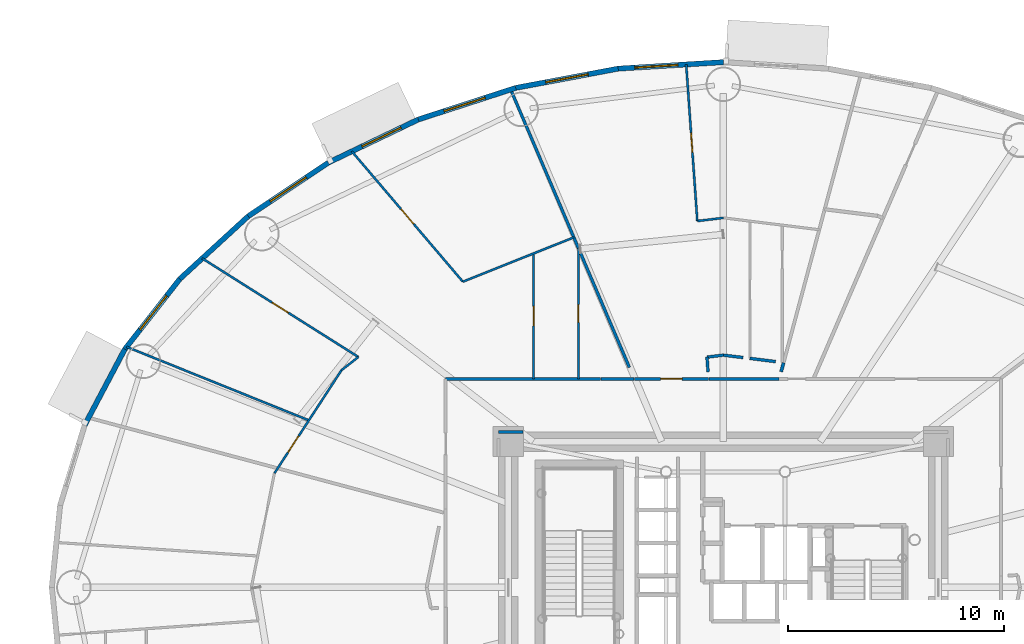
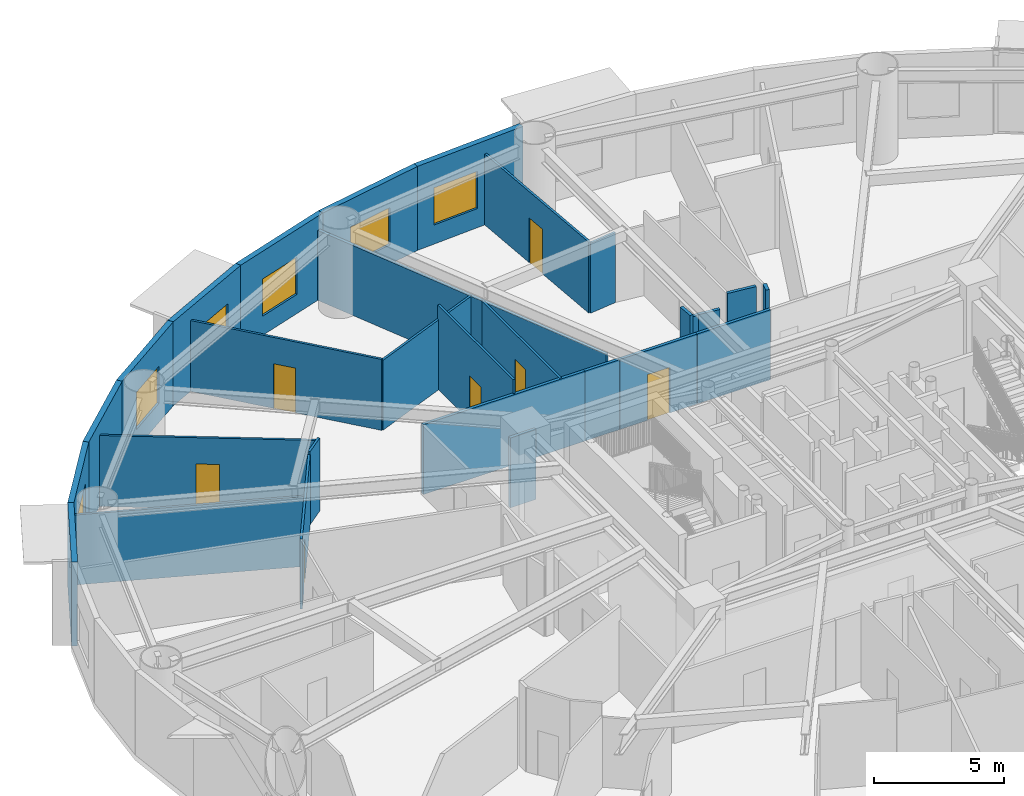
# One storey, part 15 of 24: 29 walls, 7 doors, 6 windows, 13 openings.
"""IFC4 building model written with IfcOpenShell, lengths in metres."""

import ifcopenshell
import ifcopenshell.guid

model = None  # the IFC model being written
_history = None  # IfcOwnerHistory: only IFC2X3 demands one
_inside = {}  # id of a spatial element -> (the spatial element, [elements in it])
_under = {}  # id of a project, library or spatial element -> (it, [spatial elements below it])
_declared = {}  # id of a project -> (the project, [libraries it declares])
_typed = {}  # id of a type object -> (the type object, [elements of that type])
_made_of = {}  # id of a material, layer set ... -> (it, [elements and type objects made of it])


def new_model(schema):
    """Start an empty IFC model of exactly this schema.

    Asked for "IFC4X3", IfcOpenShell would pick the latest addendum, in which some entities
    have other attributes; the version numbers below select the first issue.
    IFC2X3 requires an IfcOwnerHistory on every rooted entity: one is made here for all.
    """
    global model, _history
    if schema == "IFC4X3":
        model = ifcopenshell.file(schema_version=(4, 3, 0, 0))
    else:
        model = ifcopenshell.file(schema=schema)
    _inside.clear()
    _under.clear()
    _declared.clear()
    _typed.clear()
    _made_of.clear()
    _history = None
    if model.schema == "IFC2X3":
        org = make("IfcOrganization", Name="unknown")
        user = make(
            "IfcPersonAndOrganization",
            ThePerson=make("IfcPerson", FamilyName="unknown"),
            TheOrganization=org,
        )
        app = make(
            "IfcApplication",
            ApplicationDeveloper=org,
            Version="unknown",
            ApplicationFullName="unknown",
            ApplicationIdentifier="unknown",
        )
        _history = make(
            "IfcOwnerHistory",
            OwningUser=user,
            OwningApplication=app,
            ChangeAction="ADDED",
            CreationDate=0,
        )
    return model


def make(cls, **values):
    """One entity of the class cls with the attributes given. An attribute that is None is left unset."""
    return model.create_entity(
        cls, **{name: value for name, value in values.items() if value is not None}
    )


def rooted(cls, **values):
    """An entity with a GlobalId (a new one), such as an element, a storey or a relation."""
    return make(cls, GlobalId=ifcopenshell.guid.new(), OwnerHistory=_history, **values)


def si_unit(unit_type, name, prefix=None):
    """IfcSIUnit, for example si_unit("LENGTHUNIT", "METRE", prefix="MILLI")."""
    return make("IfcSIUnit", UnitType=unit_type, Prefix=prefix, Name=name)


def assignment(units):
    """IfcUnitAssignment: the units of a project."""
    return None if units is None else make("IfcUnitAssignment", Units=units)


def point(xyz):
    """IfcCartesianPoint."""
    return None if xyz is None else make("IfcCartesianPoint", Coordinates=xyz)


def direction(xyz):
    """IfcDirection."""
    return None if xyz is None else make("IfcDirection", DirectionRatios=xyz)


def frame(location, z_axis=None, x_axis=None):
    """IfcAxis2Placement3D, a coordinate frame: its origin and axes. An axis left out is left unset."""
    return make(
        "IfcAxis2Placement3D",
        Location=point(location),
        Axis=direction(z_axis),
        RefDirection=direction(x_axis),
    )


def frame_2d(location, x_axis=None):
    """IfcAxis2Placement2D, a coordinate frame in the plane: its origin and x axis."""
    return make(
        "IfcAxis2Placement2D", Location=point(location), RefDirection=direction(x_axis)
    )


def origin():
    """The frame at (0, 0, 0) with its axes left unset."""
    return frame((0.0, 0.0, 0.0))


def origin_2d():
    """The frame at (0, 0) in the plane with its x axis left unset."""
    return frame_2d((0.0, 0.0))


def place(relative_to, where):
    """IfcLocalPlacement: puts the frame where relative to a parent placement (None: the world)."""
    return make(
        "IfcLocalPlacement", PlacementRelTo=relative_to, RelativePlacement=where
    )


def context(
    kind, dimensions, precision=None, world=None, true_north=None, identifier=None
):
    """IfcGeometricRepresentationContext, for example the 3D "Model" context."""
    return make(
        "IfcGeometricRepresentationContext",
        ContextIdentifier=identifier,
        ContextType=kind,
        CoordinateSpaceDimension=dimensions,
        Precision=precision,
        WorldCoordinateSystem=world,
        TrueNorth=true_north,
    )


def subcontext(parent, identifier, kind, view, scale=None):
    """IfcGeometricRepresentationSubContext, for example "Body" below "Model"."""
    return make(
        "IfcGeometricRepresentationSubContext",
        ContextIdentifier=identifier,
        ContextType=kind,
        ParentContext=parent,
        TargetScale=scale,
        TargetView=view,
    )


def project(units=None, contexts=None):
    """IfcProject with its units and contexts."""
    return rooted(
        "IfcProject",
        Name="project",
        RepresentationContexts=contexts,
        UnitsInContext=assignment(units),
    )


def spatial(cls, under=None, at=None, **own):
    """A site, building, storey or space (cls), placed at a placement, below another one or the project."""
    s = rooted(cls, ObjectPlacement=at, **own)
    if under is not None:
        _under.setdefault(under.id(), (under, []))[1].append(s)
    return s


def profile(cls, at=None, kind="AREA", **sizes):
    """A parametric profile (cls). Its sizes go by their IFC names, for example OverallWidth=200.0."""
    return make(cls, ProfileType=kind, Position=at, **sizes)


def rectangle(**sizes):
    """IfcRectangleProfileDef."""
    return profile("IfcRectangleProfileDef", **sizes)


def extrude(swept, where, along, depth):
    """IfcExtrudedAreaSolid: the profile swept, set in the frame where, extruded along a direction by depth."""
    return make(
        "IfcExtrudedAreaSolid",
        SweptArea=swept,
        Position=where,
        ExtrudedDirection=direction(along),
        Depth=depth,
    )


def shape(context_of_items, identifier, shape_type, items):
    """IfcShapeRepresentation: the items that make up one representation, for example the "Body"."""
    return make(
        "IfcShapeRepresentation",
        ContextOfItems=context_of_items,
        RepresentationIdentifier=identifier,
        RepresentationType=shape_type,
        Items=items,
    )


def source(mapping_origin, context_of_items, identifier, shape_type, items):
    """IfcRepresentationMap: a shape defined once, which mapped items show again and again."""
    return make(
        "IfcRepresentationMap",
        MappingOrigin=mapping_origin,
        MappedRepresentation=shape(context_of_items, identifier, shape_type, items),
    )


def transform(
    local_origin,
    x_axis=None,
    y_axis=None,
    z_axis=None,
    scale=None,
    scale2=None,
    scale3=None,
    uniform=True,
):
    """IfcCartesianTransformationOperator3D, or its non-uniform kind. x_axis, y_axis, z_axis: its Axis1, 2, 3."""
    if uniform:
        return make(
            "IfcCartesianTransformationOperator3D",
            Axis1=direction(x_axis),
            Axis2=direction(y_axis),
            LocalOrigin=point(local_origin),
            Scale=scale,
            Axis3=direction(z_axis),
        )
    return make(
        "IfcCartesianTransformationOperator3DnonUniform",
        Axis1=direction(x_axis),
        Axis2=direction(y_axis),
        LocalOrigin=point(local_origin),
        Scale=scale,
        Axis3=direction(z_axis),
        Scale2=scale2,
        Scale3=scale3,
    )


def mapped(mapping_source, mapping_target):
    """IfcMappedItem: shows the shape of a source again, moved by a transform."""
    return make(
        "IfcMappedItem", MappingSource=mapping_source, MappingTarget=mapping_target
    )


def material(Name=None, Category=None):
    """IfcMaterial."""
    return make("IfcMaterial", Name=Name, Category=Category)


def layer(
    of_material, thickness, ventilated=None, Name=None, Category=None, Priority=None
):
    """IfcMaterialLayer: one layer of a wall or slab, of a material (None: an air gap)."""
    return make(
        "IfcMaterialLayer",
        Material=of_material,
        LayerThickness=thickness,
        IsVentilated=ventilated,
        Name=Name,
        Category=Category,
        Priority=Priority,
    )


def layer_set(layers, Name=None):
    """IfcMaterialLayerSet."""
    return make("IfcMaterialLayerSet", MaterialLayers=layers, LayerSetName=Name)


def made_of(thing, what):
    """Note that an element or type object is made of a material, layer set ...; save() writes the relation."""
    if what is not None:
        _made_of.setdefault(what.id(), (what, []))[1].append(thing)
    return thing


def type_object(cls, material=None, **own):
    """A type object (cls), such as IfcWallType, which elements share."""
    return made_of(rooted(cls, **own), material)


def element(
    cls,
    number,
    at=None,
    inside=None,
    cuts=None,
    type_object=None,
    material=None,
    context=None,
    identifier="Body",
    shape_type=None,
    held_by="IfcProductDefinitionShape",
    body=None,
    shapes=None,
    **own,
):
    """One element of the class cls, such as IfcWall. Its Tag is "e" and its number.

    at: its placement. inside: the storey or other place that contains it. cuts: it is an
    opening in that element (IfcRelVoidsElement). A single representation is given by context,
    identifier, shape_type and body (its items); several are given by shapes. held_by: the class
    of the entity that holds the representations. save() writes the other relations.
    """
    e = rooted(cls, Tag="e%d" % number, ObjectPlacement=at, **own)
    if body is not None:
        shapes = [shape(context, identifier, shape_type, body)]
    if shapes is not None:
        e.Representation = make(held_by, Representations=shapes)
    if inside is not None:
        _inside.setdefault(inside.id(), (inside, []))[1].append(e)
    if cuts is not None:
        rooted(
            "IfcRelVoidsElement", RelatingBuildingElement=cuts, RelatedOpeningElement=e
        )
    if type_object is not None:
        _typed.setdefault(type_object.id(), (type_object, []))[1].append(e)
    return made_of(e, material)


def fill(opening, filler):
    """IfcRelFillsElement: the door or window that sits in an opening."""
    return rooted(
        "IfcRelFillsElement",
        RelatingOpeningElement=opening,
        RelatedBuildingElement=filler,
    )


def aggregate(whole, parts):
    """IfcRelAggregates: a whole, such as a stair, and the parts it consists of."""
    return rooted("IfcRelAggregates", RelatingObject=whole, RelatedObjects=parts)


def save(model, path):
    """Write the relations noted so far, then the file.

    IfcRelAggregates (storeys below a building ...), IfcRelContainedInSpatialStructure (elements
    in a storey), IfcRelDefinesByType, IfcRelAssociatesMaterial and IfcRelDeclares: one each for
    every whole, place, type object, material and project.
    """
    for whole, parts in _under.values():
        aggregate(whole, parts)
    for where, things in _inside.values():
        rooted(
            "IfcRelContainedInSpatialStructure",
            RelatedElements=things,
            RelatingStructure=where,
        )
    for kind, things in _typed.values():
        rooted("IfcRelDefinesByType", RelatedObjects=things, RelatingType=kind)
    for what, things in _made_of.values():
        rooted("IfcRelAssociatesMaterial", RelatedObjects=things, RelatingMaterial=what)
    for by, libraries in _declared.values():
        rooted("IfcRelDeclares", RelatingContext=by, RelatedDefinitions=libraries)
    model.write(path)


model = new_model("IFC4")

# Units and contexts
model_context = context("Model", 3, precision=1e-05, world=origin(), true_north=direction((0.0, 1.0)))
body_context = subcontext(model_context, "Body", "Model", "MODEL_VIEW")
ifc_project = project(units=[si_unit("LENGTHUNIT", "METRE"), si_unit("AREAUNIT", "SQUARE_METRE"), si_unit("VOLUMEUNIT", "CUBIC_METRE"), si_unit("PLANEANGLEUNIT", "RADIAN"), si_unit("MASSUNIT", "GRAM", prefix="KILO")], contexts=[model_context])

# Site, building, storey
site_placement = place(None, origin())
site = spatial("IfcSite", under=ifc_project, at=site_placement, CompositionType="ELEMENT")
building_placement = place(site_placement, origin())
building = spatial("IfcBuilding", under=site, at=building_placement, Name="Linh Dai School and Residence Tower", CompositionType="ELEMENT")
storey_placement = place(building_placement, frame((0.0, 0.0, 70.199951171875)))
storey = spatial("IfcBuildingStorey", under=building, at=storey_placement, Name="L16", CompositionType="ELEMENT", Elevation=70.199951171875)

# Wall, opening, window
ifc_material_1 = material(Name="Precast Concrete B45 (C35/45)", Category="concrete")
ifc_layer_1 = layer(ifc_material_1, 0.239990234375)
ifc_layer_set_1 = layer_set([ifc_layer_1], Name="Precast Concrete B45 (C35/45)")
wall_type_1 = type_object("IfcWallType", Name="EW-TC-240", PredefinedType="SOLIDWALL", material=ifc_layer_set_1)
wall_1_placement = place(storey_placement, frame((31.134521484375, 51.005126953125, 0.0), z_axis=(0.0, 0.0, 1.0), x_axis=(0.998106954071, 0.061502099433, 0.0)))
wall_1 = element("IfcWall", 1, at=wall_1_placement, inside=storey, type_object=wall_type_1, Name="L16 Terracotta Exterior Wall 11", PredefinedType="SOLIDWALL", context=body_context, shape_type="SweptSolid", body=[
    extrude(rectangle(XDim=4.874755859375, YDim=0.239990234375, at=frame_2d((2.4375, 0.0))), origin(), (0.0, 0.0, 1.0), 3.949951171875),
])
opening_1_placement = place(wall_1_placement, frame((0.77001953125, 0.0, 0.89990234375)))
opening_1 = element("IfcOpeningElement", 2, at=opening_1_placement, cuts=wall_1, Name="Opening W1", PredefinedType="OPENING", context=body_context, shape_type="SweptSolid", body=[
    extrude(rectangle(XDim=2.0, YDim=1.75, at=origin_2d()), frame((1.0, 0.1298828125, 0.875), z_axis=(0.0, -1.0, 0.0), x_axis=(1.0, 0.0, 0.0)), (0.0, 0.0, 1.0), 0.260009765625),
])
ifc_material_2 = material(Name="Double Low-E Insulated Glazing", Category="glass")
window_type = type_object("IfcWindowType", Name="WN-RES-2000x1750", PartitioningType="DOUBLE_PANEL_VERTICAL", PredefinedType="WINDOW", material=ifc_material_2)
shared_shape_1 = source(origin(), body_context, "Body", "SweptSolid", [
    extrude(rectangle(XDim=2.0, YDim=1.75, at=origin_2d()), frame((1.0, 0.030029296875, 0.875), z_axis=(0.0, -1.0, 0.0), x_axis=(1.0, 0.0, 0.0)), (0.0, 0.0, 1.0), 0.06005859375),
])
window_1_placement = place(opening_1_placement, origin())
window_1 = element("IfcWindow", 3, at=window_1_placement, inside=storey, type_object=window_type, Name="L16 Exterior Window 11.1", OverallHeight=1.75, OverallWidth=2.0, PartitioningType="DOUBLE_PANEL_VERTICAL", PredefinedType="WINDOW", context=body_context, shape_type="MappedRepresentation", body=[
    mapped(shared_shape_1, transform((0.0, 0.0, 0.0), x_axis=(1.0, 0.0, 0.0), y_axis=(0.0, 1.0, 0.0), z_axis=(0.0, 0.0, 1.0), scale=1.0)),
])
fill(opening_1, window_1)

wall_2_placement = place(storey_placement, frame((26.389404296875, 50.11328125, 0.0), z_axis=(0.0, 0.0, 1.0), x_axis=(0.982791952378, 0.184715939598, 0.0)))
wall_2 = element("IfcWall", 4, at=wall_2_placement, inside=storey, type_object=wall_type_1, Name="L16 Terracotta Exterior Wall 12", PredefinedType="SOLIDWALL", context=body_context, shape_type="SweptSolid", body=[
    extrude(rectangle(XDim=4.828125, YDim=0.239990234375, at=frame_2d((2.4140625, 0.0))), origin(), (0.0, 0.0, 1.0), 3.949951171875),
])
opening_2_placement = place(wall_2_placement, frame((1.414306640625, 0.0, 0.89990234375)))
opening_2 = element("IfcOpeningElement", 5, at=opening_2_placement, cuts=wall_2, Name="Opening W1", PredefinedType="OPENING", context=body_context, shape_type="SweptSolid", body=[
    extrude(rectangle(XDim=2.0, YDim=1.75, at=origin_2d()), frame((1.0, 0.1298828125, 0.875), z_axis=(0.0, -1.0, 0.0), x_axis=(1.0, 0.0, 0.0)), (0.0, 0.0, 1.0), 0.260009765625),
])
window_2_placement = place(opening_2_placement, origin())
window_2 = element("IfcWindow", 6, at=window_2_placement, inside=storey, type_object=window_type, Name="L16 Exterior Window 12.1", OverallHeight=1.75, OverallWidth=2.0, PartitioningType="DOUBLE_PANEL_VERTICAL", PredefinedType="WINDOW", context=body_context, shape_type="MappedRepresentation", body=[
    mapped(shared_shape_1, transform((0.0, 0.0, 0.0), x_axis=(1.0, 0.0, 0.0), y_axis=(0.0, 1.0, 0.0), z_axis=(0.0, 0.0, 1.0), scale=1.0)),
])
fill(opening_2, window_2)

wall_3_placement = place(storey_placement, frame((21.8818359375, 48.651123046875, 0.0), z_axis=(0.0, 0.0, 1.0), x_axis=(0.951207699013, 0.308551313946, 0.0)))
wall_3 = element("IfcWall", 7, at=wall_3_placement, inside=storey, type_object=wall_type_1, Name="L16 Terracotta Exterior Wall 13", PredefinedType="SOLIDWALL", context=body_context, shape_type="SweptSolid", body=[
    extrude(rectangle(XDim=4.73876953125, YDim=0.239990234375, at=frame_2d((2.369384765625, 0.0))), origin(), (0.0, 0.0, 1.0), 3.949951171875),
])
opening_3_placement = place(wall_3_placement, frame((1.2578125, 0.0, 0.89990234375)))
opening_3 = element("IfcOpeningElement", 8, at=opening_3_placement, cuts=wall_3, Name="Opening W1", PredefinedType="OPENING", context=body_context, shape_type="SweptSolid", body=[
    extrude(rectangle(XDim=2.0, YDim=1.75, at=origin_2d()), frame((1.0, 0.1298828125, 0.875), z_axis=(0.0, -1.0, 0.0), x_axis=(1.0, 0.0, 0.0)), (0.0, 0.0, 1.0), 0.260009765625),
])
window_3_placement = place(opening_3_placement, origin())
window_3 = element("IfcWindow", 9, at=window_3_placement, inside=storey, type_object=window_type, Name="L16 Exterior Window 13.1", OverallHeight=1.75, OverallWidth=2.0, PartitioningType="DOUBLE_PANEL_VERTICAL", PredefinedType="WINDOW", context=body_context, shape_type="MappedRepresentation", body=[
    mapped(shared_shape_1, transform((0.0, 0.0, 0.0), x_axis=(1.0, 0.0, 0.0), y_axis=(0.0, 1.0, 0.0), z_axis=(0.0, 0.0, 1.0), scale=1.0)),
])
fill(opening_3, window_3)

wall_4_placement = place(storey_placement, frame((17.722900390625, 46.65576171875, 0.0), z_axis=(0.0, 0.0, 1.0), x_axis=(0.901601503137, 0.432567601123, 0.0)))
wall_4 = element("IfcWall", 10, at=wall_4_placement, inside=storey, type_object=wall_type_1, Name="L16 Terracotta Exterior Wall 14", PredefinedType="SOLIDWALL", context=body_context, shape_type="SweptSolid", body=[
    extrude(rectangle(XDim=4.61279296875, YDim=0.239990234375, at=frame_2d((2.306396484375, 0.0))), origin(), (0.0, 0.0, 1.0), 3.949951171875),
])
opening_4_placement = place(wall_4_placement, frame((1.73095703125, 0.0, 0.89990234375)))
opening_4 = element("IfcOpeningElement", 11, at=opening_4_placement, cuts=wall_4, Name="Opening W1", PredefinedType="OPENING", context=body_context, shape_type="SweptSolid", body=[
    extrude(rectangle(XDim=2.0, YDim=1.75, at=origin_2d()), frame((1.0, 0.1298828125, 0.875), z_axis=(0.0, -1.0, 0.0), x_axis=(1.0, 0.0, 0.0)), (0.0, 0.0, 1.0), 0.260009765625),
])
window_4_placement = place(opening_4_placement, origin())
window_4 = element("IfcWindow", 12, at=window_4_placement, inside=storey, type_object=window_type, Name="L16 Exterior Window 14.1", OverallHeight=1.75, OverallWidth=2.0, PartitioningType="DOUBLE_PANEL_VERTICAL", PredefinedType="WINDOW", context=body_context, shape_type="MappedRepresentation", body=[
    mapped(shared_shape_1, transform((0.0, 0.0, 0.0), x_axis=(1.0, 0.0, 0.0), y_axis=(0.0, 1.0, 0.0), z_axis=(0.0, 0.0, 1.0), scale=1.0)),
])
fill(opening_4, window_4)

wall_5_placement = place(storey_placement, frame((14.015380859375, 44.17626953125, 0.0), z_axis=(0.0, 0.0, 1.0), x_axis=(0.831240982525, 0.555912249343, 0.0)))
wall_5 = element("IfcWall", 13, at=wall_5_placement, inside=storey, type_object=wall_type_1, Name="L16 Terracotta Exterior Wall 15", PredefinedType="SOLIDWALL", context=body_context, shape_type="SweptSolid", body=[
    extrude(rectangle(XDim=4.460205078125, YDim=0.239990234375, at=frame_2d((2.22998046875, 0.0))), origin(), (0.0, 0.0, 1.0), 3.949951171875),
])
opening_5_placement = place(wall_5_placement, frame((1.230224609375, 0.0, 0.89990234375)))
opening_5 = element("IfcOpeningElement", 14, at=opening_5_placement, cuts=wall_5, Name="Opening W1", PredefinedType="OPENING", context=body_context, shape_type="SweptSolid", body=[
    extrude(rectangle(XDim=2.0, YDim=1.75, at=origin_2d()), frame((1.0, 0.1298828125, 0.875), z_axis=(0.0, -1.0, 0.0), x_axis=(1.0, 0.0, 0.0)), (0.0, 0.0, 1.0), 0.260009765625),
])
window_5_placement = place(opening_5_placement, origin())
window_5 = element("IfcWindow", 15, at=window_5_placement, inside=storey, type_object=window_type, Name="L16 Exterior Window 15.1", OverallHeight=1.75, OverallWidth=2.0, PartitioningType="DOUBLE_PANEL_VERTICAL", PredefinedType="WINDOW", context=body_context, shape_type="MappedRepresentation", body=[
    mapped(shared_shape_1, transform((0.0, 0.0, 0.0), x_axis=(1.0, 0.0, 0.0), y_axis=(0.0, 1.0, 0.0), z_axis=(0.0, 0.0, 1.0), scale=1.0)),
])
fill(opening_5, window_5)

# Wall
wall_6_placement = place(storey_placement, frame((10.850341796875, 41.274658203125, 0.0), z_axis=(0.0, 0.0, 1.0), x_axis=(0.737116376281, 0.67576582321, 0.0)))
element("IfcWall", 16, at=wall_6_placement, inside=storey, type_object=wall_type_1, Name="L16 Terracotta Exterior Wall 16", PredefinedType="SOLIDWALL", context=body_context, shape_type="SweptSolid", body=[
    extrude(rectangle(XDim=4.293701171875, YDim=0.239990234375, at=frame_2d((2.14697265625, 0.0))), origin(), (0.0, 0.0, 1.0), 3.949951171875),
])

# Wall, opening, window
wall_7_placement = place(storey_placement, frame((8.305419921875, 38.022705078125, 0.0), z_axis=(0.0, 0.0, 1.0), x_axis=(0.616295508253, 0.787514981767, 0.0)))
wall_7 = element("IfcWall", 17, at=wall_7_placement, inside=storey, type_object=wall_type_1, Name="L16 Terracotta Exterior Wall 17", PredefinedType="SOLIDWALL", context=body_context, shape_type="SweptSolid", body=[
    extrude(rectangle(XDim=4.12939453125, YDim=0.239990234375, at=frame_2d((2.064697265625, 0.0))), origin(), (0.0, 0.0, 1.0), 3.949951171875),
])
opening_6_placement = place(wall_7_placement, frame((1.1455078125, 0.0, 0.89990234375)))
opening_6 = element("IfcOpeningElement", 18, at=opening_6_placement, cuts=wall_7, Name="Opening W1", PredefinedType="OPENING", context=body_context, shape_type="SweptSolid", body=[
    extrude(rectangle(XDim=2.0, YDim=1.75, at=origin_2d()), frame((1.0, 0.1298828125, 0.875), z_axis=(0.0, -1.0, 0.0), x_axis=(1.0, 0.0, 0.0)), (0.0, 0.0, 1.0), 0.260009765625),
])
window_6_placement = place(opening_6_placement, origin())
window_6 = element("IfcWindow", 19, at=window_6_placement, inside=storey, type_object=window_type, Name="L16 Exterior Window 17.1", OverallHeight=1.75, OverallWidth=2.0, PartitioningType="DOUBLE_PANEL_VERTICAL", PredefinedType="WINDOW", context=body_context, shape_type="MappedRepresentation", body=[
    mapped(shared_shape_1, transform((0.0, 0.0, 0.0), x_axis=(1.0, 0.0, 0.0), y_axis=(0.0, 1.0, 0.0), z_axis=(0.0, 0.0, 1.0), scale=1.0)),
])
fill(opening_6, window_6)

# Walls
wall_8_placement = place(storey_placement, frame((6.4423828125, 34.50146484375, 0.0), z_axis=(0.0, 0.0, 1.0), x_axis=(0.467662443071, 0.883907144072, 0.0)))
element("IfcWall", 20, at=wall_8_placement, inside=storey, type_object=wall_type_1, Name="L16 Terracotta Exterior Wall 18", PredefinedType="SOLIDWALL", context=body_context, shape_type="SweptSolid", body=[
    extrude(rectangle(XDim=3.983642578125, YDim=0.239990234375, at=frame_2d((1.99169921875, 0.0))), origin(), (0.0, 0.0, 1.0), 3.949951171875),
])
ifc_material_3 = material(Name="Autoclaved Aerated Concrete Blockwork", Category="masonry")
ifc_layer_2 = layer(ifc_material_3, 0.135009765625)
ifc_layer_set_2 = layer_set([ifc_layer_2], Name="Autoclaved Aerated Concrete Blockwork")
wall_type_2 = type_object("IfcWallType", Name="IW-CORR-135-EI90", PredefinedType="PARTITIONING", material=ifc_layer_set_2)
wall_9_placement = place(storey_placement, frame((23.14990234375, 36.64990234375, 0.0), z_axis=(0.0, 0.0, 1.0), x_axis=(1.0, 0.0, 0.0)))
element("IfcWall", 21, at=wall_9_placement, inside=storey, type_object=wall_type_2, Name="L16 Interior Partition Wall 025", PredefinedType="PARTITIONING", context=body_context, shape_type="SweptSolid", body=[
    extrude(rectangle(XDim=7.17138671875, YDim=0.135009765625, at=frame_2d((3.585693359375, 0.0))), origin(), (0.0, 0.0, 1.0), 3.28515625),
])
wall_10_placement = place(storey_placement, frame((26.156494140625, 50.042724609375, 0.0), z_axis=(0.0, 0.0, 1.0), x_axis=(0.392844637537, -0.919604855771, 0.0)))
element("IfcWall", 22, at=wall_10_placement, inside=storey, type_object=wall_type_2, Name="L16 Interior Partition Wall 027", PredefinedType="PARTITIONING", context=body_context, shape_type="SweptSolid", body=[
    extrude(rectangle(XDim=13.98681640625, YDim=0.135009765625, at=frame_2d((6.993408203125, 0.0))), origin(), (0.0, 0.0, 1.0), 3.28515625),
])

# Wall, opening, door
wall_11_placement = place(storey_placement, frame((31.877685546875, 36.64990234375, 0.0), z_axis=(0.0, 0.0, 1.0), x_axis=(1.0, 0.0, 0.0)))
wall_11 = element("IfcWall", 23, at=wall_11_placement, inside=storey, type_object=wall_type_2, Name="L16 Interior Partition Wall 036", PredefinedType="PARTITIONING", context=body_context, shape_type="SweptSolid", body=[
    extrude(rectangle(XDim=3.436279296875, YDim=0.135009765625, at=frame_2d((1.71826171875, 0.0))), origin(), (0.0, 0.0, 1.0), 3.28515625),
])
opening_7_placement = place(wall_11_placement, frame((1.21826171875, 0.0, 0.0)))
opening_7 = element("IfcOpeningElement", 24, at=opening_7_placement, cuts=wall_11, Name="Opening D03", PredefinedType="OPENING", context=body_context, shape_type="SweptSolid", body=[
    extrude(rectangle(XDim=1.0, YDim=2.14990234375, at=origin_2d()), frame((0.5, 0.07763671875, 1.074951171875), z_axis=(0.0, -1.0, 0.0), x_axis=(1.0, 0.0, 0.0)), (0.0, 0.0, 1.0), 0.155029296875),
])
ifc_material_4 = material(Name="Fire-Rated Solid Timber Entrance Door", Category="wood")
door_type_1 = type_object("IfcDoorType", Name="DR-FLAT-1000x2150-FD60S", OperationType="NOTDEFINED", PredefinedType="DOOR", material=ifc_material_4)
shared_shape_2 = source(origin(), body_context, "Body", "SweptSolid", [
    extrude(rectangle(XDim=1.0, YDim=2.14990234375, at=origin_2d()), frame((0.5, 0.02490234375, 1.074951171875), z_axis=(0.0, -1.0, 0.0), x_axis=(1.0, 0.0, 0.0)), (0.0, 0.0, 1.0), 0.050048828125),
])
door_1_placement = place(opening_7_placement, origin())
door_1 = element("IfcDoor", 25, at=door_1_placement, inside=storey, type_object=door_type_1, Name="L16 U1601 Apartment Entrance Door", OperationType="SINGLE_SWING_RIGHT", OverallHeight=2.14990234375, OverallWidth=1.0, PredefinedType="DOOR", context=body_context, shape_type="MappedRepresentation", body=[
    mapped(shared_shape_2, transform((0.0, 0.0, 0.0), x_axis=(1.0, 0.0, 0.0), y_axis=(0.0, 1.0, 0.0), z_axis=(0.0, 0.0, 1.0), scale=1.0)),
])
fill(opening_7, door_1)

# Walls
wall_12_placement = place(storey_placement, frame((30.331298828125, 36.64990234375, 0.0), z_axis=(0.0, 0.0, 1.0), x_axis=(1.0, 0.0, 0.0)))
element("IfcWall", 26, at=wall_12_placement, inside=storey, type_object=wall_type_2, Name="L16 Interior Partition Wall 119", PredefinedType="PARTITIONING", context=body_context, shape_type="SweptSolid", body=[
    extrude(rectangle(XDim=1.536376953125, YDim=0.135009765625, at=frame_2d((0.76806640625, 0.0))), origin(), (0.0, 0.0, 1.0), 3.28515625),
])
wall_13_placement = place(storey_placement, frame((35.323974609375, 36.64990234375, 0.0), z_axis=(0.0, 0.0, 1.0), x_axis=(1.0, 0.0, 0.0)))
element("IfcWall", 27, at=wall_13_placement, inside=storey, type_object=wall_type_2, Name="L16 Interior Partition Wall 120", PredefinedType="PARTITIONING", context=body_context, shape_type="SweptSolid", body=[
    extrude(rectangle(XDim=3.251708984375, YDim=0.135009765625, at=frame_2d((1.6259765625, 0.0))), origin(), (0.0, 0.0, 1.0), 3.28515625),
])
wall_14_placement = place(storey_placement, frame((26.739990234375, 34.199951171875, 0.0), z_axis=(0.0, 0.0, 1.0), x_axis=(-1.0, 0.0, 0.0)))
element("IfcWall", 28, at=wall_14_placement, inside=storey, type_object=wall_type_2, Name="L16 Interior Partition Wall 126", PredefinedType="PARTITIONING", context=body_context, shape_type="SweptSolid", body=[
    extrude(rectangle(XDim=1.139892578125, YDim=0.135009765625, at=frame_2d((0.56982421875, 0.0))), origin(), (0.0, 0.0, 1.0), 3.28515625),
])
wall_15_placement = place(storey_placement, frame((36.9150390625, 37.6357421875, 0.0), z_axis=(0.0, 0.0, 1.0), x_axis=(-0.9923915158, 0.12312221314, 0.0)))
element("IfcWall", 29, at=wall_15_placement, inside=storey, type_object=wall_type_2, Name="L16 Interior Partition Wall 134", PredefinedType="PARTITIONING", context=body_context, shape_type="SweptSolid", body=[
    extrude(rectangle(XDim=0.922119140625, YDim=0.135009765625, at=frame_2d((0.4609375, 0.0))), origin(), (0.0, 0.0, 1.0), 3.28515625),
])
wall_16_placement = place(storey_placement, frame((36.0, 37.749267578125, 0.0), z_axis=(0.0, 0.0, 1.0), x_axis=(-0.992385778562, -0.123168447694, 0.0)))
element("IfcWall", 30, at=wall_16_placement, inside=storey, type_object=wall_type_2, Name="L16 Interior Partition Wall 135", PredefinedType="PARTITIONING", context=body_context, shape_type="SweptSolid", body=[
    extrude(rectangle(XDim=0.76318359375, YDim=0.135009765625, at=frame_2d((0.381591796875, 0.0))), origin(), (0.0, 0.0, 1.0), 3.28515625),
])
wall_17_placement = place(storey_placement, frame((35.24267578125, 37.6552734375, 0.0), z_axis=(0.0, 0.0, 1.0), x_axis=(0.070787395853, -0.997491425822, 0.0)))
element("IfcWall", 31, at=wall_17_placement, inside=storey, type_object=wall_type_2, Name="L16 Interior Partition Wall 136", PredefinedType="PARTITIONING", context=body_context, shape_type="SweptSolid", body=[
    extrude(rectangle(XDim=0.679443359375, YDim=0.135009765625, at=frame_2d((0.33984375, 0.0))), origin(), (0.0, 0.0, 1.0), 3.949951171875),
])
wall_18_placement = place(storey_placement, frame((38.41748046875, 37.449462890625, 0.0), z_axis=(0.0, 0.0, 1.0), x_axis=(-0.992414815403, 0.122934267674, 0.0)))
element("IfcWall", 32, at=wall_18_placement, inside=storey, type_object=wall_type_2, Name="L16 Interior Partition Wall 137", PredefinedType="PARTITIONING", context=body_context, shape_type="SweptSolid", body=[
    extrude(rectangle(XDim=1.201416015625, YDim=0.135009765625, at=frame_2d((0.6005859375, 0.0))), origin(), (0.0, 0.0, 1.0), 3.949951171875),
])
ifc_layer_3 = layer(ifc_material_3, 0.14990234375)
ifc_layer_set_3 = layer_set([ifc_layer_3], Name="Autoclaved Aerated Concrete Blockwork")
wall_type_3 = type_object("IfcWallType", Name="IW-SCH-150-EI60", PredefinedType="PARTITIONING", material=ifc_layer_set_3)
wall_19_placement = place(storey_placement, frame((38.67333984375, 36.9775390625, 0.0), z_axis=(0.0, 0.0, 1.0), x_axis=(0.258896545979, 0.965905056659, 0.0)))
element("IfcWall", 33, at=wall_19_placement, inside=storey, type_object=wall_type_3, Name="L16 Interior Partition Wall 133", PredefinedType="PARTITIONING", context=body_context, shape_type="SweptSolid", body=[
    extrude(rectangle(XDim=0.430908203125, YDim=0.14990234375, at=frame_2d((0.21533203125, 0.0))), origin(), (0.0, 0.0, 1.0), 3.949951171875),
])
ifc_material_5 = material(Name="Gypsum Plasterboard Acoustic Stud Partition", Category="masonry")
ifc_layer_4 = layer(ifc_material_5, 0.10009765625)
ifc_layer_set_4 = layer_set([ifc_layer_4], Name="Gypsum Plasterboard Acoustic Stud Partition")
wall_type_4 = type_object("IfcWallType", Name="IW-UNIT-100", PredefinedType="PARTITIONING", material=ifc_layer_set_4)
wall_20_placement = place(storey_placement, frame((8.384765625, 38.13232421875, 0.0), z_axis=(0.0, 0.0, 1.0), x_axis=(0.927473750459, -0.373888275037, 0.0)))
element("IfcWall", 34, at=wall_20_placement, inside=storey, type_object=wall_type_4, Name="L16 Interior Partition Wall 005", PredefinedType="PARTITIONING", context=body_context, shape_type="SweptSolid", body=[
    extrude(rectangle(XDim=9.095947265625, YDim=0.10009765625, at=frame_2d((4.5478515625, 0.0))), origin(), (0.0, 0.0, 1.0), 3.28515625),
])

# Wall, opening, door
wall_21_placement = place(storey_placement, frame((11.88232421875, 42.2275390625, 0.0), z_axis=(0.0, 0.0, 1.0), x_axis=(0.845549287721, -0.533897370319, 0.0)))
wall_21 = element("IfcWall", 35, at=wall_21_placement, inside=storey, type_object=wall_type_4, Name="L16 Interior Partition Wall 008", PredefinedType="PARTITIONING", context=body_context, shape_type="SweptSolid", body=[
    extrude(rectangle(XDim=8.5498046875, YDim=0.10009765625, at=frame_2d((4.27490234375, 0.0))), origin(), (0.0, 0.0, 1.0), 3.3349609375),
])
opening_8_placement = place(wall_21_placement, frame((3.824951171875, 0.0, 0.0)))
opening_8 = element("IfcOpeningElement", 36, at=opening_8_placement, cuts=wall_21, Name="Opening D05", PredefinedType="OPENING", context=body_context, shape_type="SweptSolid", body=[
    extrude(rectangle(XDim=0.89990234375, YDim=2.10009765625, at=origin_2d()), frame((0.449951171875, 0.06005859375, 1.050048828125), z_axis=(0.0, -1.0, 0.0), x_axis=(1.0, 0.0, 0.0)), (0.0, 0.0, 1.0), 0.1201171875),
])
ifc_material_6 = material(Name="Engineered Timber Internal Door", Category="wood")
door_type_2 = type_object("IfcDoorType", Name="DR-INT-900x2100", OperationType="NOTDEFINED", PredefinedType="DOOR", material=ifc_material_6)
shared_shape_3 = source(origin(), body_context, "Body", "SweptSolid", [
    extrude(rectangle(XDim=0.89990234375, YDim=2.10009765625, at=origin_2d()), frame((0.449951171875, 0.02490234375, 1.050048828125), z_axis=(0.0, -1.0, 0.0), x_axis=(1.0, 0.0, 0.0)), (0.0, 0.0, 1.0), 0.050048828125),
])
door_2_placement = place(opening_8_placement, origin())
door_2 = element("IfcDoor", 37, at=door_2_placement, inside=storey, type_object=door_type_2, Name="L16 Apartment U1602 Principal Bedroom 2 Door", OperationType="SINGLE_SWING_RIGHT", OverallHeight=2.10009765625, OverallWidth=0.89990234375, PredefinedType="DOOR", context=body_context, shape_type="MappedRepresentation", body=[
    mapped(shared_shape_3, transform((0.0, 0.0, 0.0), x_axis=(1.0, 0.0, 0.0), y_axis=(0.0, 1.0, 0.0), z_axis=(0.0, 0.0, 1.0), scale=1.0)),
])
fill(opening_8, door_2)

wall_22_placement = place(storey_placement, frame((15.22900390625, 32.284423828125, 0.0), z_axis=(0.0, 0.0, 1.0), x_axis=(0.545394142426, 0.83817971188, 0.0)))
wall_22 = element("IfcWall", 38, at=wall_22_placement, inside=storey, type_object=wall_type_4, Name="L16 Interior Partition Wall 013", PredefinedType="PARTITIONING", context=body_context, shape_type="SweptSolid", body=[
    extrude(rectangle(XDim=5.687744140625, YDim=0.10009765625, at=frame_2d((2.84375, 0.0))), origin(), (0.0, 0.0, 1.0), 3.28515625),
])
opening_9_placement = place(wall_22_placement, frame((1.14599609375, 0.0, 0.0)))
opening_9 = element("IfcOpeningElement", 39, at=opening_9_placement, cuts=wall_22, Name="Opening D05", PredefinedType="OPENING", context=body_context, shape_type="SweptSolid", body=[
    extrude(rectangle(XDim=0.89990234375, YDim=2.10009765625, at=origin_2d()), frame((0.449951171875, 0.06005859375, 1.050048828125), z_axis=(0.0, -1.0, 0.0), x_axis=(1.0, 0.0, 0.0)), (0.0, 0.0, 1.0), 0.1201171875),
])
door_3_placement = place(opening_9_placement, origin())
door_3 = element("IfcDoor", 40, at=door_3_placement, inside=storey, type_object=door_type_2, Name="L16 Apartment U1602 Study Door", OperationType="SINGLE_SWING_LEFT", OverallHeight=2.10009765625, OverallWidth=0.89990234375, PredefinedType="DOOR", context=body_context, shape_type="MappedRepresentation", body=[
    mapped(shared_shape_3, transform((0.0, 0.0, 0.0), x_axis=(1.0, 0.0, 0.0), y_axis=(0.0, 1.0, 0.0), z_axis=(0.0, 0.0, 1.0), scale=1.0)),
])
fill(opening_9, door_3)

# Wall
wall_23_placement = place(storey_placement, frame((18.3310546875, 37.0517578125, 0.0), z_axis=(0.0, 0.0, 1.0), x_axis=(0.787385450927, 0.616460989575, 0.0)))
element("IfcWall", 41, at=wall_23_placement, inside=storey, type_object=wall_type_4, Name="L16 Interior Partition Wall 018", PredefinedType="PARTITIONING", context=body_context, shape_type="SweptSolid", body=[
    extrude(rectangle(XDim=0.9912109375, YDim=0.10009765625, at=frame_2d((0.49560546875, 0.0))), origin(), (0.0, 0.0, 1.0), 3.43505859375),
])

# Wall, opening, door
wall_24_placement = place(storey_placement, frame((18.805419921875, 47.1806640625, 0.0), z_axis=(0.0, 0.0, 1.0), x_axis=(0.648556358155, -0.761166637667, 0.0)))
wall_24 = element("IfcWall", 42, at=wall_24_placement, inside=storey, type_object=wall_type_4, Name="L16 Interior Partition Wall 019", PredefinedType="PARTITIONING", context=body_context, shape_type="SweptSolid", body=[
    extrude(rectangle(XDim=7.92626953125, YDim=0.10009765625, at=frame_2d((3.963134765625, 0.0))), origin(), (0.0, 0.0, 1.0), 3.3349609375),
])
opening_10_placement = place(wall_24_placement, frame((3.51318359375, 0.0, 0.0)))
opening_10 = element("IfcOpeningElement", 43, at=opening_10_placement, cuts=wall_24, Name="Opening D05", PredefinedType="OPENING", context=body_context, shape_type="SweptSolid", body=[
    extrude(rectangle(XDim=0.89990234375, YDim=2.10009765625, at=origin_2d()), frame((0.449951171875, 0.06005859375, 1.050048828125), z_axis=(0.0, -1.0, 0.0), x_axis=(1.0, 0.0, 0.0)), (0.0, 0.0, 1.0), 0.1201171875),
])
door_4_placement = place(opening_10_placement, origin())
door_4 = element("IfcDoor", 44, at=door_4_placement, inside=storey, type_object=door_type_2, Name="L16 Apartment U1602 Principal Bedroom 1 Door", OperationType="SINGLE_SWING_LEFT", OverallHeight=2.10009765625, OverallWidth=0.89990234375, PredefinedType="DOOR", context=body_context, shape_type="MappedRepresentation", body=[
    mapped(shared_shape_3, transform((0.0, 0.0, 0.0), x_axis=(1.0, 0.0, 0.0), y_axis=(0.0, 1.0, 0.0), z_axis=(0.0, 0.0, 1.0), scale=1.0)),
])
fill(opening_10, door_4)

# Wall
wall_25_placement = place(storey_placement, frame((23.946044921875, 41.1474609375, 0.0), z_axis=(0.0, 0.0, 1.0), x_axis=(0.928805222761, 0.370568290834, 0.0)))
element("IfcWall", 45, at=wall_25_placement, inside=storey, type_object=wall_type_4, Name="L16 Interior Partition Wall 026", PredefinedType="PARTITIONING", context=body_context, shape_type="SweptSolid", body=[
    extrude(rectangle(XDim=5.52880859375, YDim=0.10009765625, at=frame_2d((2.764404296875, 0.0))), origin(), (0.0, 0.0, 1.0), 3.28515625),
])

# Wall, opening, door
wall_26_placement = place(storey_placement, frame((27.216796875, 36.64990234375, 0.0), z_axis=(0.0, 0.0, 1.0), x_axis=(0.0, 1.0, 0.0)))
wall_26 = element("IfcWall", 46, at=wall_26_placement, inside=storey, type_object=wall_type_4, Name="L16 Interior Partition Wall 029", PredefinedType="PARTITIONING", context=body_context, shape_type="SweptSolid", body=[
    extrude(rectangle(XDim=5.802490234375, YDim=0.10009765625, at=frame_2d((2.9013671875, 0.0))), origin(), (0.0, 0.0, 1.0), 3.949951171875),
])
opening_11_placement = place(wall_26_placement, frame((2.451171875, 0.0, 0.0)))
opening_11 = element("IfcOpeningElement", 47, at=opening_11_placement, cuts=wall_26, Name="Opening D05", PredefinedType="OPENING", context=body_context, shape_type="SweptSolid", body=[
    extrude(rectangle(XDim=0.89990234375, YDim=2.10009765625, at=origin_2d()), frame((0.449951171875, 0.06005859375, 1.050048828125), z_axis=(0.0, -1.0, 0.0), x_axis=(1.0, 0.0, 0.0)), (0.0, 0.0, 1.0), 0.1201171875),
])
door_5_placement = place(opening_11_placement, origin())
door_5 = element("IfcDoor", 48, at=door_5_placement, inside=storey, type_object=door_type_2, Name="L16 Apartment U1602 Kitchen Door", OperationType="SINGLE_SWING_RIGHT", OverallHeight=2.10009765625, OverallWidth=0.89990234375, PredefinedType="DOOR", context=body_context, shape_type="MappedRepresentation", body=[
    mapped(shared_shape_3, transform((0.0, 0.0, 0.0), x_axis=(1.0, 0.0, 0.0), y_axis=(0.0, 1.0, 0.0), z_axis=(0.0, 0.0, 1.0), scale=1.0)),
])
fill(opening_11, door_5)

wall_27_placement = place(storey_placement, frame((29.29248046875, 36.64990234375, 0.0), z_axis=(0.0, 0.0, 1.0), x_axis=(0.0, 1.0, 0.0)))
wall_27 = element("IfcWall", 49, at=wall_27_placement, inside=storey, type_object=wall_type_4, Name="L16 Interior Partition Wall 032", PredefinedType="PARTITIONING", context=body_context, shape_type="SweptSolid", body=[
    extrude(rectangle(XDim=6.0517578125, YDim=0.10009765625, at=frame_2d((3.02587890625, 0.0))), origin(), (0.0, 0.0, 1.0), 3.28515625),
])
opening_12_placement = place(wall_27_placement, frame((2.615966796875, 0.0, 0.0)))
opening_12 = element("IfcOpeningElement", 50, at=opening_12_placement, cuts=wall_27, Name="Opening D06", PredefinedType="OPENING", context=body_context, shape_type="SweptSolid", body=[
    extrude(rectangle(XDim=0.820068359375, YDim=2.10009765625, at=origin_2d()), frame((0.41015625, 0.06005859375, 1.050048828125), z_axis=(0.0, -1.0, 0.0), x_axis=(1.0, 0.0, 0.0)), (0.0, 0.0, 1.0), 0.1201171875),
])
ifc_material_7 = material(Name="Moisture-Resistant Timber Bathroom Door", Category="wood")
door_type_3 = type_object("IfcDoorType", Name="DR-WET-820x2100", OperationType="NOTDEFINED", PredefinedType="DOOR", material=ifc_material_7)
shared_shape_4 = source(origin(), body_context, "Body", "SweptSolid", [
    extrude(rectangle(XDim=0.820068359375, YDim=2.10009765625, at=origin_2d()), frame((0.41015625, 0.02490234375, 1.050048828125), z_axis=(0.0, -1.0, 0.0), x_axis=(1.0, 0.0, 0.0)), (0.0, 0.0, 1.0), 0.050048828125),
])
door_6_placement = place(opening_12_placement, origin())
door_6 = element("IfcDoor", 51, at=door_6_placement, inside=storey, type_object=door_type_3, Name="L16 Apartment U1602 Bathroom 1 Door", OperationType="SINGLE_SWING_LEFT", OverallHeight=2.10009765625, OverallWidth=0.820068359375, PredefinedType="DOOR", context=body_context, shape_type="MappedRepresentation", body=[
    mapped(shared_shape_4, transform((0.0, 0.0, 0.0), x_axis=(1.0, 0.0, 0.0), y_axis=(0.0, 1.0, 0.0), z_axis=(0.0, 0.0, 1.0), scale=1.0)),
])
fill(opening_12, door_6)

wall_28_placement = place(storey_placement, frame((34.279541015625, 51.2041015625, 0.0), z_axis=(0.0, 0.0, 1.0), x_axis=(0.070917738425, -0.997482167448, 0.0)))
wall_28 = element("IfcWall", 52, at=wall_28_placement, inside=storey, type_object=wall_type_4, Name="L16 Interior Partition Wall 045", PredefinedType="PARTITIONING", context=body_context, shape_type="SweptSolid", body=[
    extrude(rectangle(XDim=7.270751953125, YDim=0.10009765625, at=frame_2d((3.63525390625, 0.0))), origin(), (0.0, 0.0, 1.0), 3.3349609375),
])
opening_13_placement = place(wall_28_placement, frame((3.185302734375, 0.0, 0.0)))
opening_13 = element("IfcOpeningElement", 53, at=opening_13_placement, cuts=wall_28, Name="Opening D05", PredefinedType="OPENING", context=body_context, shape_type="SweptSolid", body=[
    extrude(rectangle(XDim=0.89990234375, YDim=2.10009765625, at=origin_2d()), frame((0.449951171875, 0.06005859375, 1.050048828125), z_axis=(0.0, -1.0, 0.0), x_axis=(1.0, 0.0, 0.0)), (0.0, 0.0, 1.0), 0.1201171875),
])
door_7_placement = place(opening_13_placement, origin())
door_7 = element("IfcDoor", 54, at=door_7_placement, inside=storey, type_object=door_type_2, Name="L16 Apartment U1601 Principal Bedroom 1 Door", OperationType="SINGLE_SWING_LEFT", OverallHeight=2.10009765625, OverallWidth=0.89990234375, PredefinedType="DOOR", context=body_context, shape_type="MappedRepresentation", body=[
    mapped(shared_shape_3, transform((0.0, 0.0, 0.0), x_axis=(1.0, 0.0, 0.0), y_axis=(0.0, 1.0, 0.0), z_axis=(0.0, 0.0, 1.0), scale=1.0)),
])
fill(opening_13, door_7)

# Wall
wall_29_placement = place(storey_placement, frame((34.795166015625, 43.95166015625, 0.0), z_axis=(0.0, 0.0, 1.0), x_axis=(0.992398063534, 0.123069425508, 0.0)))
element("IfcWall", 55, at=wall_29_placement, inside=storey, type_object=wall_type_4, Name="L16 Interior Partition Wall 046", PredefinedType="PARTITIONING", context=body_context, shape_type="SweptSolid", body=[
    extrude(rectangle(XDim=1.214111328125, YDim=0.10009765625, at=frame_2d((0.60693359375, 0.0))), origin(), (0.0, 0.0, 1.0), 3.28515625),
])

save(model, "model.ifc")
